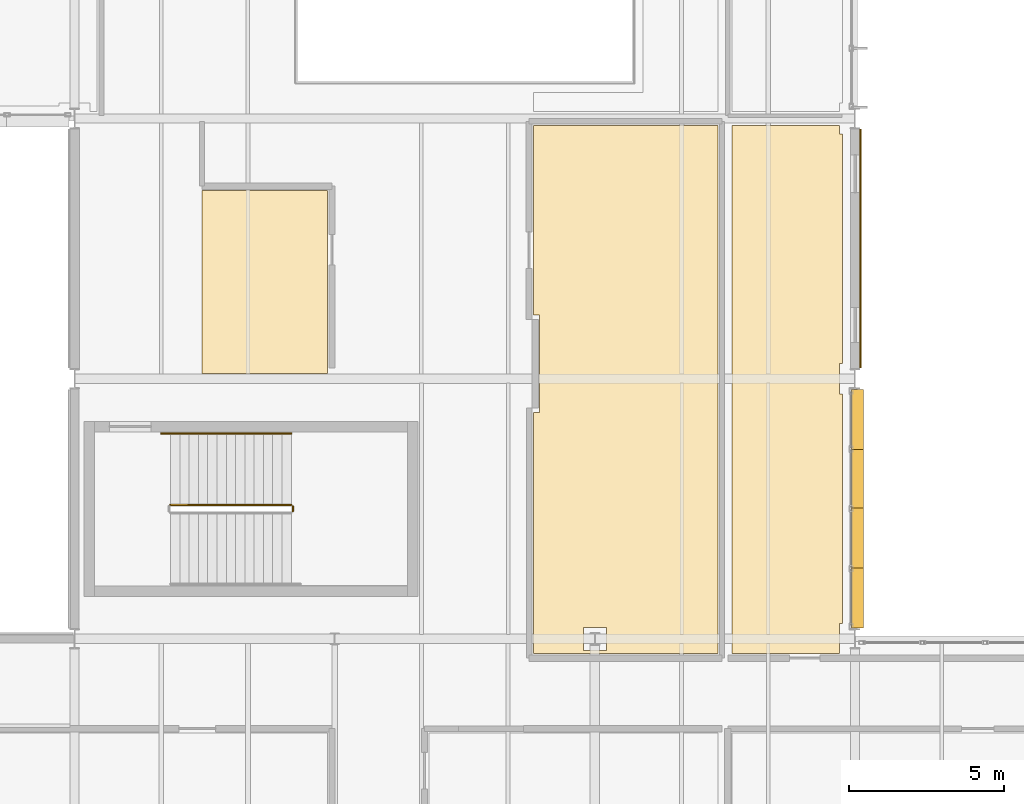
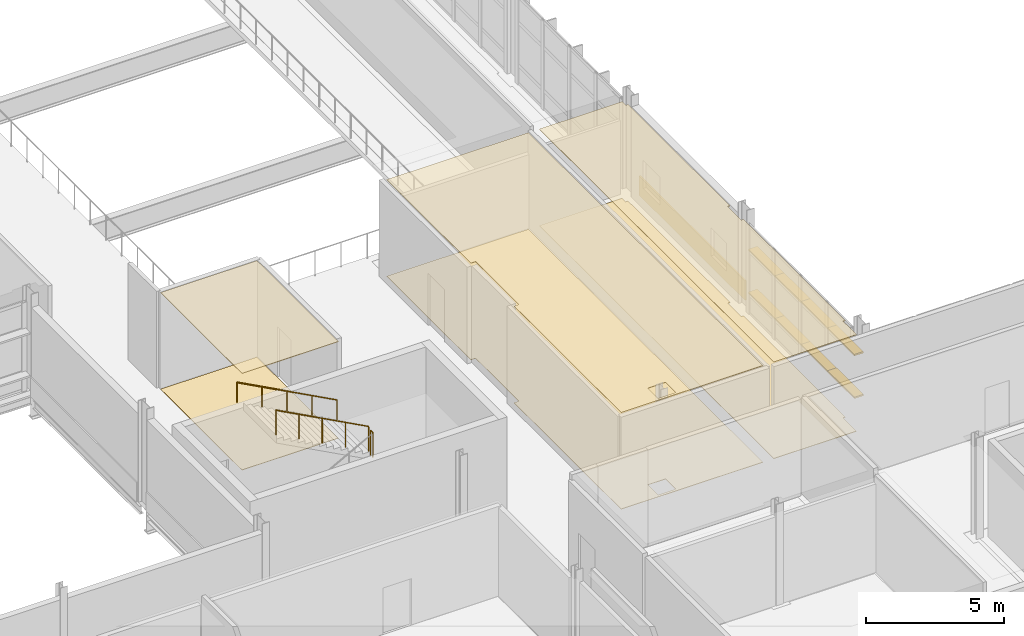
# One storey, part 113 of 129: 8 shading devices, 7 coverings, 3 railings.
"""IFC4 building model written with IfcOpenShell, lengths in metres."""

from ifc_helpers import new_model, si_unit, direction, frame, origin, origin_2d, place, context, subcontext, project, spatial, polyline, rectangle, circle, outline, extrude, material, layer, layer_set, type_object, element, save


model = new_model("IFC4")

# Units and contexts
model_context = context("Model", 3, precision=1e-05, world=origin(), true_north=direction((0.0, 1.0)))
body_context = subcontext(model_context, "Body", "Model", "MODEL_VIEW")
ifc_project = project(units=[si_unit("LENGTHUNIT", "METRE"), si_unit("AREAUNIT", "SQUARE_METRE"), si_unit("VOLUMEUNIT", "CUBIC_METRE"), si_unit("PLANEANGLEUNIT", "RADIAN"), si_unit("MASSUNIT", "GRAM", prefix="KILO")], contexts=[model_context])

# Site, building, storey
site_placement = place(None, origin())
site = spatial("IfcSite", under=ifc_project, at=site_placement, CompositionType="ELEMENT")
building_placement = place(site_placement, origin())
building = spatial("IfcBuilding", under=site, at=building_placement, Name="Mersafa Astral City Hall", CompositionType="ELEMENT")
storey_placement = place(building_placement, frame((0.0, 0.0, 5.39990234375)))
storey = spatial("IfcBuildingStorey", under=building, at=storey_placement, Name="L01", CompositionType="ELEMENT", Elevation=5.39990234375)

# Covering
ifc_material_1 = material(Name="Cairo Mokattam buff limestone cladding", Category="masonry")
ifc_layer_1 = layer(ifc_material_1, 0.06005859375, Name="Cairo Mokattam buff limestone cladding")
ifc_layer_set_1 = layer_set([ifc_layer_1], Name="Cairo Mokattam buff limestone cladding — ENV-COV-LIMESTONE-60")
covering_type_1 = type_object("IfcCoveringType", Name="ENV-COV-LIMESTONE-60", PredefinedType="CLADDING", material=ifc_layer_set_1)
covering_1_placement = place(storey_placement, frame((117.777099609375, 46.199951171875, 0.0), z_axis=(0.0, 0.0, 1.0), x_axis=(0.0, 1.0, 0.0)))
element("IfcCovering", 1, at=covering_1_placement, inside=storey, type_object=covering_type_1, Name="L01 Cairo buff limestone rainscreen cladding 78", PredefinedType="CLADDING", context=body_context, shape_type="SweptSolid", body=[
    extrude(rectangle(XDim=7.697998046875, YDim=0.06005859375, at=origin_2d()), origin(), (0.0, 0.0, 1.0), 0.860107421875),
])

# Shading devices
ifc_material_2 = material(Name="Kiln-dried cedar timber brise-soleil blade", Category="wood")
shading_device_type = type_object("IfcShadingDeviceType", Name="ENV-SHD-LOUVRE-380", PredefinedType="JALOUSIE", material=ifc_material_2)
shading_device_1_placement = place(storey_placement, frame((117.679931640625, 34.917724609375, 0.81494140625), z_axis=(0.0, 0.0, 1.0), x_axis=(0.0, 1.0, 0.0)))
element("IfcShadingDevice", 2, at=shading_device_1_placement, inside=storey, type_object=shading_device_type, Name="L01 Horizontal cedar brise-soleil louvre 343", PredefinedType="JALOUSIE", context=body_context, shape_type="SweptSolid", body=[
    extrude(rectangle(XDim=1.94140625, YDim=0.3798828125, at=origin_2d()), origin(), (0.0, 0.0, 1.0), 0.070068359375),
])
for number, where, z_axis, x_axis, name in (
    (3, (117.679931640625, 36.834228515625, 0.81494140625), (0.0, 0.0, 1.0), (0.0, 1.0, 0.0), "L01 Horizontal cedar brise-soleil louvre 344"),
    (4, (117.679931640625, 38.765625, 0.81494140625), (0.0, 0.0, 1.0), (0.0, 1.0, 0.0), "L01 Horizontal cedar brise-soleil louvre 345"),
):
    element("IfcShadingDevice", number, at=place(storey_placement, frame(where, z_axis=z_axis, x_axis=x_axis)), inside=storey, type_object=shading_device_type, Name=name, PredefinedType="JALOUSIE", context=body_context, shape_type="SweptSolid", body=[
        extrude(rectangle(XDim=1.971435546875, YDim=0.3798828125, at=origin_2d()), origin(), (0.0, 0.0, 1.0), 0.070068359375),
    ])
for number, where, z_axis, x_axis, name in (
    (5, (117.679931640625, 40.68212890625, 0.81494140625), (0.0, 0.0, 1.0), (0.0, 1.0, 0.0), "L01 Horizontal cedar brise-soleil louvre 346"),
    (6, (117.679931640625, 34.917724609375, 2.71484375), (0.0, 0.0, 1.0), (0.0, 1.0, 0.0), "L01 Horizontal cedar brise-soleil louvre 347"),
):
    element("IfcShadingDevice", number, at=place(storey_placement, frame(where, z_axis=z_axis, x_axis=x_axis)), inside=storey, type_object=shading_device_type, Name=name, PredefinedType="JALOUSIE", context=body_context, shape_type="SweptSolid", body=[
        extrude(rectangle(XDim=1.94140625, YDim=0.3798828125, at=origin_2d()), origin(), (0.0, 0.0, 1.0), 0.070068359375),
    ])
for number, where, z_axis, x_axis, name in (
    (7, (117.679931640625, 36.834228515625, 2.71484375), (0.0, 0.0, 1.0), (0.0, 1.0, 0.0), "L01 Horizontal cedar brise-soleil louvre 348"),
    (8, (117.679931640625, 38.765625, 2.71484375), (0.0, 0.0, 1.0), (0.0, 1.0, 0.0), "L01 Horizontal cedar brise-soleil louvre 349"),
):
    element("IfcShadingDevice", number, at=place(storey_placement, frame(where, z_axis=z_axis, x_axis=x_axis)), inside=storey, type_object=shading_device_type, Name=name, PredefinedType="JALOUSIE", context=body_context, shape_type="SweptSolid", body=[
        extrude(rectangle(XDim=1.971435546875, YDim=0.3798828125, at=origin_2d()), origin(), (0.0, 0.0, 1.0), 0.070068359375),
    ])
shading_device_2_placement = place(storey_placement, frame((117.679931640625, 40.68212890625, 2.71484375), z_axis=(0.0, 0.0, 1.0), x_axis=(0.0, 1.0, 0.0)))
element("IfcShadingDevice", 9, at=shading_device_2_placement, inside=storey, type_object=shading_device_type, Name="L01 Horizontal cedar brise-soleil louvre 350", PredefinedType="JALOUSIE", context=body_context, shape_type="SweptSolid", body=[
    extrude(rectangle(XDim=1.94140625, YDim=0.3798828125, at=origin_2d()), origin(), (0.0, 0.0, 1.0), 0.070068359375),
])

# Railings
ifc_material_3 = material(Name="Painted architectural steel stair guard balustrade", Category="steel")
railing_type_1 = type_object("IfcRailingType", Name="GUARD-RAIL", PredefinedType="BALUSTRADE", material=ifc_material_3)
railing_1_placement = place(storey_placement, frame((99.449951171875, 37.719970703125, 2.25)))
element("IfcRailing", 10, at=railing_1_placement, inside=storey, type_object=railing_type_1, Name="L01 ST8 stair guard 2", PredefinedType="BALUSTRADE", context=body_context, shape_type="SweptSolid", body=[
    extrude(circle(Radius=0.02392578125, at=origin_2d()), frame((0.0, 0.0, 1.09619140625), z_axis=(0.0, 1.0, 0.0), x_axis=(-1.0, 0.0, 0.0)), (0.0, 0.0, 1.0), 0.159912109375),
    extrude(circle(Radius=0.02099609375, at=origin_2d()), origin(), (0.0, 0.0, 1.0), 1.072021484375),
    extrude(circle(Radius=0.02099609375, at=origin_2d()), frame((0.0, 0.159912109375, 0.0)), (0.0, 0.0, 1.0), 1.072021484375),
])
railing_2_placement = place(storey_placement, frame((99.39990234375, 37.929931640625, 2.410888671875)))
element("IfcRailing", 11, at=railing_2_placement, inside=storey, type_object=railing_type_1, Name="L01 ST8 stair guard 3", PredefinedType="BALUSTRADE", context=body_context, shape_type="SweptSolid", body=[
    extrude(circle(Radius=0.02392578125, at=origin_2d()), frame((0.0, 0.0, 1.09619140625), z_axis=(-0.881491454809, 0.0, 0.472199973632), x_axis=(0.0, -1.0, 0.0)), (0.0, 0.0, 1.0), 4.42431640625),
    extrude(circle(Radius=0.02099609375, at=origin_2d()), origin(), (0.0, 0.0, 1.0), 1.072021484375),
    extrude(circle(Radius=0.02099609375, at=origin_2d()), frame((-0.97509765625, 0.0, 0.522216796875)), (0.0, 0.0, 1.0), 1.072021484375),
    extrude(circle(Radius=0.02099609375, at=origin_2d()), frame((-1.949951171875, 0.0, 1.04443359375)), (0.0, 0.0, 1.0), 1.072021484375),
    extrude(circle(Radius=0.02099609375, at=origin_2d()), frame((-2.9248046875, 0.0, 1.56689453125)), (0.0, 0.0, 1.0), 1.072021484375),
    extrude(circle(Radius=0.02099609375, at=origin_2d()), frame((-3.89990234375, 0.0, 2.089111328125)), (0.0, 0.0, 1.0), 1.072021484375),
])
ifc_material_4 = material(Name="Brushed stainless steel tubular handrail", Category="steel")
railing_type_2 = type_object("IfcRailingType", Name="HANDRAIL", PredefinedType="HANDRAIL", material=ifc_material_4)
railing_3_placement = place(storey_placement, frame((99.39990234375, 40.22998046875, 2.410888671875)))
element("IfcRailing", 12, at=railing_3_placement, inside=storey, type_object=railing_type_2, Name="L01 ST8 stair handrail 2", PredefinedType="HANDRAIL", context=body_context, shape_type="SweptSolid", body=[
    extrude(circle(Radius=0.02392578125, at=origin_2d()), frame((0.0, 0.0, 0.8759765625), z_axis=(-0.881221683169, 0.0, 0.472703231546), x_axis=(0.0, -1.0, 0.0)), (0.0, 0.0, 1.0), 4.76611328125),
    extrude(circle(Radius=0.02099609375, at=origin_2d()), origin(), (0.0, 0.0, 1.0), 0.851806640625),
    extrude(circle(Radius=0.02099609375, at=origin_2d()), frame((-1.050048828125, 0.0, 0.563232421875)), (0.0, 0.0, 1.0), 0.851806640625),
    extrude(circle(Radius=0.02099609375, at=origin_2d()), frame((-2.10009765625, 0.0, 1.12646484375)), (0.0, 0.0, 1.0), 0.851806640625),
    extrude(circle(Radius=0.02099609375, at=origin_2d()), frame((-3.14990234375, 0.0, 1.689697265625)), (0.0, 0.0, 1.0), 0.851806640625),
    extrude(circle(Radius=0.02099609375, at=origin_2d()), frame((-4.199951171875, 0.0, 2.2529296875)), (0.0, 0.0, 1.0), 0.851806640625),
])

# Coverings
ifc_material_5 = material(Name="Perforated acoustic gypsum board ceiling", Category="gypsum")
ifc_layer_2 = layer(ifc_material_5, 0.02490234375, Name="Perforated acoustic gypsum board ceiling")
ifc_layer_set_2 = layer_set([ifc_layer_2], Name="Perforated acoustic gypsum board ceiling — INT-COV-CEIL-25")
covering_type_2 = type_object("IfcCoveringType", Name="INT-COV-CEIL-25", PredefinedType="CEILING", material=ifc_layer_set_2)
covering_2_placement = place(storey_placement, frame((0.0, 0.0, 4.281005859375)))
element("IfcCovering", 13, at=covering_2_placement, inside=storey, type_object=covering_type_2, Name="L01 Civic Translation & Hansard Studio L01-07 acoustic ceiling", PredefinedType="CEILING", context=body_context, shape_type="SweptSolid", body=[
    extrude(outline(polyline([(107.419921875, 40.909912109375), (107.419921875, 44.050048828125), (107.219970703125, 44.050048828125), (107.219970703125, 50.169921875), (113.169921875, 50.169921875), (113.169921875, 33.1201171875), (107.219970703125, 33.1201171875), (107.219970703125, 40.909912109375), (107.419921875, 40.909912109375)]), holes=[polyline([(108.830078125, 33.22998046875), (109.570068359375, 33.22998046875), (109.570068359375, 33.969970703125), (108.830078125, 33.969970703125), (108.830078125, 33.22998046875)])]), origin(), (0.0, 0.0, 1.0), 0.025146484375),
])
covering_3_placement = place(storey_placement, frame((0.0, 0.0, 4.281005859375)))
element("IfcCovering", 14, at=covering_3_placement, inside=storey, type_object=covering_type_2, Name="L01 Members Reading Room L01-13 acoustic ceiling", PredefinedType="CEILING", context=body_context, shape_type="SweptSolid", body=[
    extrude(outline(polyline([(113.6298828125, 33.1201171875), (113.6298828125, 50.169921875), (117.10498046875, 50.169921875), (117.10498046875, 49.905029296875), (117.199951171875, 49.905029296875), (117.199951171875, 42.4951171875), (117.10498046875, 42.4951171875), (117.10498046875, 41.5048828125), (117.199951171875, 41.5048828125), (117.199951171875, 34.094970703125), (117.10498046875, 34.094970703125), (117.10498046875, 33.1201171875), (113.6298828125, 33.1201171875)])), origin(), (0.0, 0.0, 1.0), 0.025146484375),
])
covering_4_placement = place(storey_placement, frame((0.0, 0.0, 4.281005859375)))
element("IfcCovering", 15, at=covering_4_placement, inside=storey, type_object=covering_type_2, Name="L01 Members Reading Room L01-31 acoustic ceiling", PredefinedType="CEILING", context=body_context, shape_type="SweptSolid", body=[
    extrude(outline(polyline([(100.570068359375, 48.080078125), (100.570068359375, 42.159912109375), (96.52001953125, 42.159912109375), (96.52001953125, 48.080078125), (100.570068359375, 48.080078125)])), origin(), (0.0, 0.0, 1.0), 0.025146484375),
])
ifc_material_6 = material(Name="Honed Cairo limestone terrazzo flooring", Category="masonry")
ifc_layer_3 = layer(ifc_material_6, 0.02001953125, Name="Honed Cairo limestone terrazzo flooring")
ifc_layer_set_3 = layer_set([ifc_layer_3], Name="Honed Cairo limestone terrazzo flooring — INT-COV-FLR-20")
covering_type_3 = type_object("IfcCoveringType", Name="INT-COV-FLR-20", PredefinedType="FLOORING", material=ifc_layer_set_3)
covering_5_placement = place(storey_placement, frame((0.0, 0.0, -0.00146484375)))
element("IfcCovering", 16, at=covering_5_placement, inside=storey, type_object=covering_type_3, Name="L01 Civic Translation & Hansard Studio L01-07 architectural flooring", PredefinedType="FLOORING", context=body_context, shape_type="SweptSolid", body=[
    extrude(outline(polyline([(107.419921875, 40.909912109375), (107.419921875, 44.050048828125), (107.219970703125, 44.050048828125), (107.219970703125, 50.169921875), (113.169921875, 50.169921875), (113.169921875, 33.1201171875), (107.219970703125, 33.1201171875), (107.219970703125, 40.909912109375), (107.419921875, 40.909912109375)]), holes=[polyline([(108.830078125, 33.22998046875), (109.570068359375, 33.22998046875), (109.570068359375, 33.969970703125), (108.830078125, 33.969970703125), (108.830078125, 33.22998046875)])]), origin(), (0.0, 0.0, 1.0), 0.02001953125),
])
covering_6_placement = place(storey_placement, frame((0.0, 0.0, -0.00146484375)))
element("IfcCovering", 17, at=covering_6_placement, inside=storey, type_object=covering_type_3, Name="L01 Members Reading Room L01-13 architectural flooring", PredefinedType="FLOORING", context=body_context, shape_type="SweptSolid", body=[
    extrude(outline(polyline([(113.6298828125, 33.1201171875), (113.6298828125, 50.169921875), (117.10498046875, 50.169921875), (117.10498046875, 49.905029296875), (117.199951171875, 49.905029296875), (117.199951171875, 42.4951171875), (117.10498046875, 42.4951171875), (117.10498046875, 41.5048828125), (117.199951171875, 41.5048828125), (117.199951171875, 34.094970703125), (117.10498046875, 34.094970703125), (117.10498046875, 33.1201171875), (113.6298828125, 33.1201171875)])), origin(), (0.0, 0.0, 1.0), 0.02001953125),
])
covering_7_placement = place(storey_placement, frame((0.0, 0.0, -0.00146484375)))
element("IfcCovering", 18, at=covering_7_placement, inside=storey, type_object=covering_type_3, Name="L01 Members Reading Room L01-31 architectural flooring", PredefinedType="FLOORING", context=body_context, shape_type="SweptSolid", body=[
    extrude(outline(polyline([(100.570068359375, 48.080078125), (100.570068359375, 42.159912109375), (96.52001953125, 42.159912109375), (96.52001953125, 48.080078125), (100.570068359375, 48.080078125)])), origin(), (0.0, 0.0, 1.0), 0.02001953125),
])

save(model, "model.ifc")
